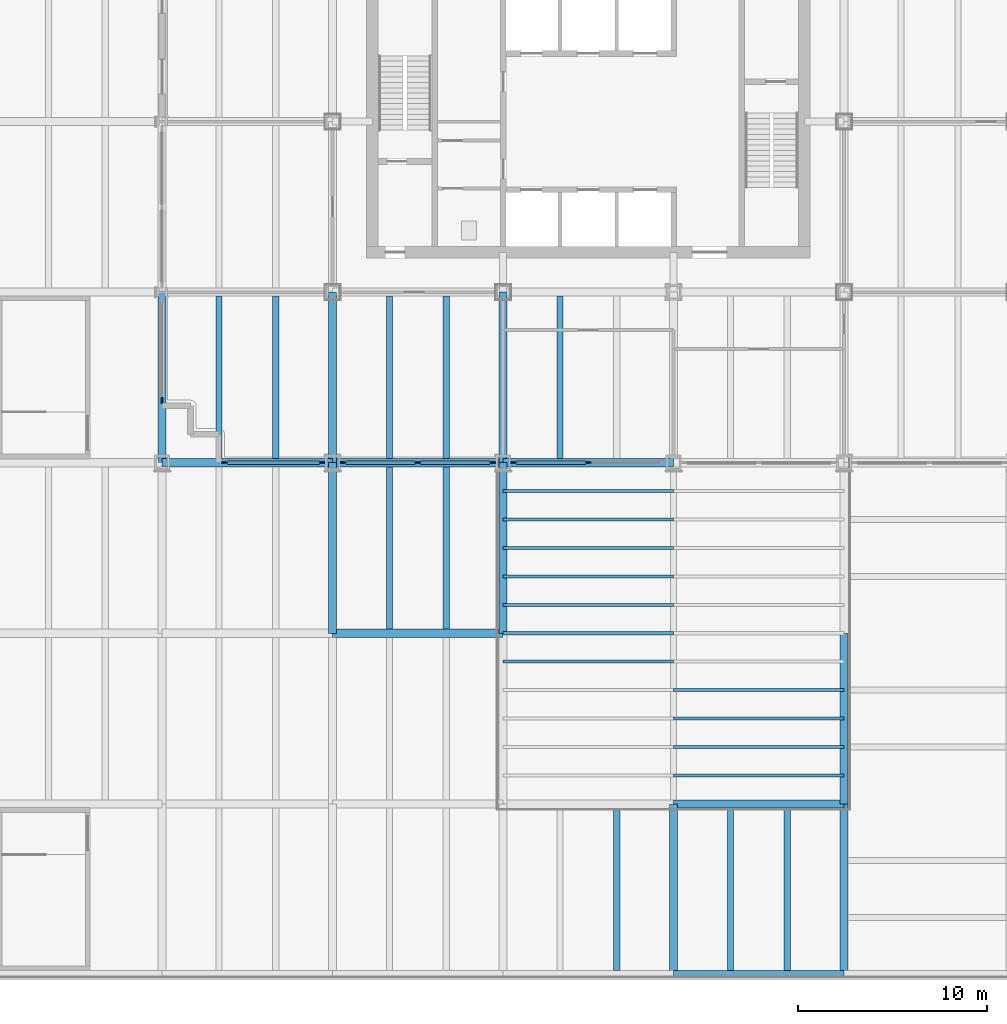
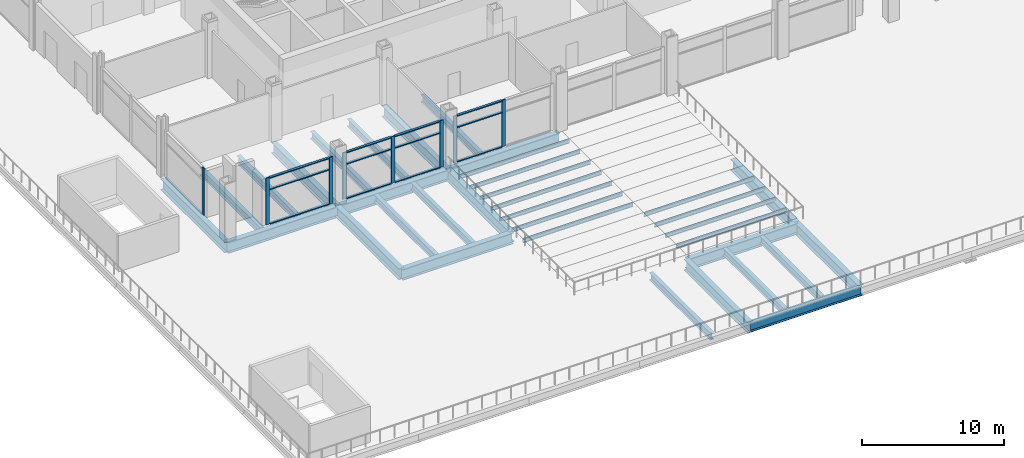
# One storey, part 2 of 16: 31 members, 24 beams, 4 elements without a shape of their own.
"""IFC4 building model written with IfcOpenShell, lengths in metres."""

from ifc_helpers import new_model, si_unit, direction, frame, origin, origin_2d, place, context, subcontext, project, spatial, rectangle, i_section, extrude, material, material_profile, profile_set, type_object, element, aggregate, save


model = new_model("IFC4")

# Units and contexts
model_context = context("Model", 3, precision=1e-05, world=origin(), true_north=direction((0.0, 1.0)))
body_context = subcontext(model_context, "Body", "Model", "MODEL_VIEW")
ifc_project = project(units=[si_unit("LENGTHUNIT", "METRE"), si_unit("AREAUNIT", "SQUARE_METRE"), si_unit("VOLUMEUNIT", "CUBIC_METRE"), si_unit("PLANEANGLEUNIT", "RADIAN"), si_unit("MASSUNIT", "GRAM", prefix="KILO")], contexts=[model_context])

# Site, building, storey
site_placement = place(None, origin())
site = spatial("IfcSite", under=ifc_project, at=site_placement, CompositionType="ELEMENT")
building_placement = place(site_placement, origin())
building = spatial("IfcBuilding", under=site, at=building_placement, Name="Loomwork Tower", CompositionType="ELEMENT")
storey_placement = place(building_placement, frame((0.0, 0.0, 23.0)))
storey = spatial("IfcBuildingStorey", under=building, at=storey_placement, Name="L04", CompositionType="ELEMENT", Elevation=23.0)

# Beams
ifc_material_1 = material(Name="Steel ASTM A992", Category="steel")
ifc_material_profile_1 = material_profile(ifc_material_1, i_section(OverallWidth=0.381103515625, OverallDepth=0.77978515625, WebThickness=0.01806640625, FlangeThickness=0.0302734375, at=origin_2d()), Name="W30x191")
ifc_profile_set_1 = profile_set([ifc_material_profile_1], Name="Steel ASTM A992")
beam_type_1 = type_object("IfcBeamType", Name="EDGE GIRDER W30x191", PredefinedType="BEAM", material=ifc_profile_set_1)
beam_1_placement = place(storey_placement, frame((27.0, -27.0, -0.68994140625), z_axis=(1.0, 0.0, 0.0), x_axis=(0.0, 1.0, 0.0)))
element("IfcBeam", 1, at=beam_1_placement, inside=storey, type_object=beam_type_1, Name="Edge Girder A/5-A/6 L04", PredefinedType="BEAM", context=body_context, shape_type="SweptSolid", body=[
    extrude(i_section(OverallWidth=0.381103515625, OverallDepth=0.77978515625, WebThickness=0.01806640625, FlangeThickness=0.0302734375, at=origin_2d()), origin(), (0.0, 0.0, 1.0), 9.0),
])
ifc_material_2 = material(Name="Steel ASTM A992", Category="steel")
ifc_material_profile_2 = material_profile(ifc_material_2, i_section(OverallWidth=0.3251953125, OverallDepth=0.612060546875, WebThickness=0.0126953125, FlangeThickness=0.01904296875, at=origin_2d()), Name="W24x104")
ifc_profile_set_2 = profile_set([ifc_material_profile_2], Name="Steel ASTM A992")
beam_type_2 = type_object("IfcBeamType", Name="FLOOR JOIST W24x104", PredefinedType="JOIST", material=ifc_profile_set_2)
for number, where, z_axis, x_axis, name in (
    (2, (3.0, 0.2119140625, -0.60595703125), (0.0, 1.0, 0.0), (-1.0, 0.0, 0.0), "Floor Joist 3.000,0.000-3.000,9.000 L04"),
    (3, (6.0, 0.2119140625, -0.60595703125), (0.0, 1.0, 0.0), (-1.0, 0.0, 0.0), "Floor Joist 6.000,0.000-6.000,9.000 L04"),
    (4, (12.0, -8.7880859375, -0.60595703125), (0.0, 1.0, 0.0), (-1.0, 0.0, 0.0), "Floor Joist 12.000,-9.000-12.000,0.000 L04"),
    (5, (15.0, -8.7880859375, -0.60595703125), (0.0, 1.0, 0.0), (-1.0, 0.0, 0.0), "Floor Joist 15.000,-9.000-15.000,0.000 L04"),
    (6, (12.0, 0.2119140625, -0.60595703125), (0.0, 1.0, 0.0), (-1.0, 0.0, 0.0), "Floor Joist 12.000,0.000-12.000,9.000 L04"),
    (7, (15.0, 0.2119140625, -0.60595703125), (0.0, 1.0, 0.0), (-1.0, 0.0, 0.0), "Floor Joist 15.000,0.000-15.000,9.000 L04"),
):
    element("IfcBeam", number, at=place(storey_placement, frame(where, z_axis=z_axis, x_axis=x_axis)), inside=storey, type_object=beam_type_2, Name=name, PredefinedType="JOIST", context=body_context, shape_type="SweptSolid", body=[
        extrude(i_section(OverallWidth=0.3251953125, OverallDepth=0.612060546875, WebThickness=0.0126953125, FlangeThickness=0.01904296875, at=origin_2d()), origin(), (0.0, 0.0, 1.0), 8.576171875),
    ])
beam_2_placement = place(storey_placement, frame((24.0, -26.81005859375, -0.60595703125), z_axis=(0.0, 1.0, 0.0), x_axis=(-1.0, 0.0, 0.0)))
element("IfcBeam", 8, at=beam_2_placement, inside=storey, type_object=beam_type_2, Name="Floor Joist 24.000,-27.000-24.000,-18.000 L04", PredefinedType="JOIST", context=body_context, shape_type="SweptSolid", body=[
    extrude(i_section(OverallWidth=0.3251953125, OverallDepth=0.612060546875, WebThickness=0.0126953125, FlangeThickness=0.01904296875, at=origin_2d()), origin(), (0.0, 0.0, 1.0), 8.59814453125),
])
beam_3_placement = place(storey_placement, frame((21.0, 0.2119140625, -0.60595703125), z_axis=(0.0, 1.0, 0.0), x_axis=(-1.0, 0.0, 0.0)))
element("IfcBeam", 9, at=beam_3_placement, inside=storey, type_object=beam_type_2, Name="Floor Joist 21.000,0.000-21.000,9.000 L04", PredefinedType="JOIST", context=body_context, shape_type="SweptSolid", body=[
    extrude(i_section(OverallWidth=0.3251953125, OverallDepth=0.612060546875, WebThickness=0.0126953125, FlangeThickness=0.01904296875, at=origin_2d()), origin(), (0.0, 0.0, 1.0), 8.576171875),
])
for number, where, z_axis, x_axis, name in (
    (10, (30.0, -26.81005859375, -0.60595703125), (0.0, 1.0, 0.0), (-1.0, 0.0, 0.0), "Floor Joist 30.000,-27.000-30.000,-18.000 L04"),
    (11, (33.0, -26.81005859375, -0.60595703125), (0.0, 1.0, 0.0), (-1.0, 0.0, 0.0), "Floor Joist 33.000,-27.000-33.000,-18.000 L04"),
):
    element("IfcBeam", number, at=place(storey_placement, frame(where, z_axis=z_axis, x_axis=x_axis)), inside=storey, type_object=beam_type_2, Name=name, PredefinedType="JOIST", context=body_context, shape_type="SweptSolid", body=[
        extrude(i_section(OverallWidth=0.3251953125, OverallDepth=0.612060546875, WebThickness=0.0126953125, FlangeThickness=0.01904296875, at=origin_2d()), origin(), (0.0, 0.0, 1.0), 8.59814453125),
    ])

# Members
ifc_material_3 = material(Name="Steel ASTM A992", Category="steel")
ifc_material_profile_3 = material_profile(ifc_material_3, i_section(OverallWidth=0.164794921875, OverallDepth=0.309814453125, WebThickness=0.005859375, FlangeThickness=0.009765625, at=origin_2d()), Name="W12x26")
ifc_profile_set_3 = profile_set([ifc_material_profile_3], Name="Steel ASTM A992")
member_type_1 = type_object("IfcMemberType", Name="SKYLIGHT PURLIN W12x26", PredefinedType="PURLIN", material=ifc_profile_set_3)
for number, where, z_axis, x_axis, name in (
    (12, (27.0, -16.5, -0.18701171875), (1.0, 0.0, 0.0), (0.0, 1.0, 0.0), "Skylight purlin 1"),
    (13, (27.0, -15.0, -0.18701171875), (1.0, 0.0, 0.0), (0.0, 1.0, 0.0), "Skylight purlin 2"),
    (14, (27.0, -13.5, -0.18701171875), (1.0, 0.0, 0.0), (0.0, 1.0, 0.0), "Skylight purlin 3"),
    (15, (27.0, -12.0, -0.18701171875), (1.0, 0.0, 0.0), (0.0, 1.0, 0.0), "Skylight purlin 4"),
    (16, (18.0, -10.5, -0.18701171875), (1.0, 0.0, 0.0), (0.0, 1.0, 0.0), "Skylight purlin 5"),
    (17, (18.0, -9.0, -0.18701171875), (1.0, 0.0, 0.0), (0.0, 1.0, 0.0), "Skylight purlin 6"),
    (18, (18.0, -7.5, -0.18701171875), (1.0, 0.0, 0.0), (0.0, 1.0, 0.0), "Skylight purlin 7"),
    (19, (18.0, -6.0, -0.18701171875), (1.0, 0.0, 0.0), (0.0, 1.0, 0.0), "Skylight purlin 8"),
    (20, (18.0, -4.5, -0.18701171875), (1.0, 0.0, 0.0), (0.0, 1.0, 0.0), "Skylight purlin 9"),
    (21, (18.0, -3.0, -0.18701171875), (1.0, 0.0, 0.0), (0.0, 1.0, 0.0), "Skylight purlin 10"),
    (22, (18.0, -1.5, -0.18701171875), (1.0, 0.0, 0.0), (0.0, 1.0, 0.0), "Skylight purlin 11"),
):
    element("IfcMember", number, at=place(storey_placement, frame(where, z_axis=z_axis, x_axis=x_axis)), inside=storey, type_object=member_type_1, Name=name, PredefinedType="PURLIN", context=body_context, shape_type="SweptSolid", body=[
        extrude(i_section(OverallWidth=0.164794921875, OverallDepth=0.309814453125, WebThickness=0.005859375, FlangeThickness=0.009765625, at=origin_2d()), origin(), (0.0, 0.0, 1.0), 9.0),
    ])

# Curtain wall, members
ifc_material_4 = material(Name="Aluminium curtain wall frame", Category="aluminium")
curtain_wall_type = type_object("IfcCurtainWallType", Name="Sky lobby glazing", PredefinedType="NOTDEFINED", material=ifc_material_4)
curtain_wall_1_placement = place(storey_placement, origin())
curtain_wall_1 = element("IfcCurtainWall", 23, at=curtain_wall_1_placement, inside=storey, type_object=curtain_wall_type, Name="Sky lobby glazing cw/S-0", PredefinedType="NOTDEFINED")
ifc_material_5 = material(Name="Aluminium curtain wall frame", Category="aluminium")
ifc_material_profile_4 = material_profile(ifc_material_5, rectangle(XDim=0.080078125, YDim=0.300048828125, at=origin_2d()), Name="AL 80x300")
ifc_profile_set_4 = profile_set([ifc_material_profile_4], Name="Aluminium curtain wall frame")
member_type_2 = type_object("IfcMemberType", Name="Sky lobby glazing mullion", PredefinedType="MULLION", material=ifc_profile_set_4)
member_1_placement = place(storey_placement, frame((3.300048828125, 0.0, 0.0), z_axis=(0.0, 0.0, 1.0), x_axis=(0.0, 1.0, 0.0)))
member_1 = element("IfcMember", 24, at=member_1_placement, type_object=member_type_2, Name="CW6 mullion 1", PredefinedType="MULLION", context=body_context, shape_type="SweptSolid", body=[
    extrude(rectangle(XDim=0.080078125, YDim=0.300048828125, at=origin_2d()), origin(), (0.0, 0.0, 1.0), 4.020263671875),
])
member_2_placement = place(storey_placement, frame((8.449951171875, 0.0, 0.0), z_axis=(0.0, 0.0, 1.0), x_axis=(0.0, 1.0, 0.0)))
member_2 = element("IfcMember", 25, at=member_2_placement, type_object=member_type_2, Name="CW6 mullion 2", PredefinedType="MULLION", context=body_context, shape_type="SweptSolid", body=[
    extrude(rectangle(XDim=0.080078125, YDim=0.300048828125, at=origin_2d()), origin(), (0.0, 0.0, 1.0), 4.020263671875),
])

curtain_wall_2_placement = place(storey_placement, origin())
curtain_wall_2 = element("IfcCurtainWall", 26, at=curtain_wall_2_placement, inside=storey, type_object=curtain_wall_type, Name="Sky lobby glazing cw/S-9", PredefinedType="NOTDEFINED")
member_3_placement = place(storey_placement, frame((9.550048828125, 0.0, 0.0), z_axis=(0.0, 0.0, 1.0), x_axis=(0.0, 1.0, 0.0)))
member_3 = element("IfcMember", 27, at=member_3_placement, type_object=member_type_2, Name="CW6 mullion 1", PredefinedType="MULLION", context=body_context, shape_type="SweptSolid", body=[
    extrude(rectangle(XDim=0.080078125, YDim=0.300048828125, at=origin_2d()), origin(), (0.0, 0.0, 1.0), 4.020263671875),
])
member_4_placement = place(storey_placement, frame((13.5, 0.0, 0.0), z_axis=(0.0, 0.0, 1.0), x_axis=(0.0, 1.0, 0.0)))
member_4 = element("IfcMember", 28, at=member_4_placement, type_object=member_type_2, Name="CW6 mullion 2", PredefinedType="MULLION", context=body_context, shape_type="SweptSolid", body=[
    extrude(rectangle(XDim=0.080078125, YDim=0.300048828125, at=origin_2d()), origin(), (0.0, 0.0, 1.0), 4.020263671875),
])
member_5_placement = place(storey_placement, frame((17.449951171875, 0.0, 0.0), z_axis=(0.0, 0.0, 1.0), x_axis=(0.0, 1.0, 0.0)))
member_5 = element("IfcMember", 29, at=member_5_placement, type_object=member_type_2, Name="CW6 mullion 3", PredefinedType="MULLION", context=body_context, shape_type="SweptSolid", body=[
    extrude(rectangle(XDim=0.080078125, YDim=0.300048828125, at=origin_2d()), origin(), (0.0, 0.0, 1.0), 4.020263671875),
])

curtain_wall_3_placement = place(storey_placement, origin())
curtain_wall_3 = element("IfcCurtainWall", 30, at=curtain_wall_3_placement, inside=storey, type_object=curtain_wall_type, Name="Sky lobby glazing cw/S-18", PredefinedType="NOTDEFINED")
member_6_placement = place(storey_placement, frame((18.550048828125, 0.0, 0.0), z_axis=(0.0, 0.0, 1.0), x_axis=(0.0, 1.0, 0.0)))
member_6 = element("IfcMember", 31, at=member_6_placement, type_object=member_type_2, Name="CW6 mullion 1", PredefinedType="MULLION", context=body_context, shape_type="SweptSolid", body=[
    extrude(rectangle(XDim=0.080078125, YDim=0.300048828125, at=origin_2d()), origin(), (0.0, 0.0, 1.0), 4.020263671875),
])
member_7_placement = place(storey_placement, frame((22.5, 0.0, 0.0), z_axis=(0.0, 0.0, 1.0), x_axis=(0.0, 1.0, 0.0)))
member_7 = element("IfcMember", 32, at=member_7_placement, type_object=member_type_2, Name="CW6 mullion 2", PredefinedType="MULLION", context=body_context, shape_type="SweptSolid", body=[
    extrude(rectangle(XDim=0.080078125, YDim=0.300048828125, at=origin_2d()), origin(), (0.0, 0.0, 1.0), 4.020263671875),
])

# Curtain wall, member
curtain_wall_4_placement = place(storey_placement, origin())
curtain_wall_4 = element("IfcCurtainWall", 33, at=curtain_wall_4_placement, inside=storey, type_object=curtain_wall_type, Name="Sky lobby glazing cw/W-0", PredefinedType="NOTDEFINED")
member_8_placement = place(storey_placement, frame((0.0, 3.300048828125, 0.0), z_axis=(0.0, 0.0, 1.0), x_axis=(1.0, 0.0, 0.0)))
member_8 = element("IfcMember", 34, at=member_8_placement, type_object=member_type_2, Name="CW6 mullion 2", PredefinedType="MULLION", context=body_context, shape_type="SweptSolid", body=[
    extrude(rectangle(XDim=0.080078125, YDim=0.300048828125, at=origin_2d()), origin(), (0.0, 0.0, 1.0), 4.020263671875),
])
aggregate(curtain_wall_4, [member_8])

# Member
ifc_material_6 = material(Name="Aluminium curtain wall frame", Category="aluminium")
ifc_material_profile_5 = material_profile(ifc_material_6, rectangle(XDim=0.199951171875, YDim=0.080078125, at=origin_2d()), Name="AL 80x200")
ifc_profile_set_5 = profile_set([ifc_material_profile_5], Name="Aluminium curtain wall frame")
member_type_3 = type_object("IfcMemberType", Name="Sky lobby glazing transom", PredefinedType="USERDEFINED", material=ifc_profile_set_5)
member_9_placement = place(storey_placement, frame((3.449951171875, 0.0, 0.0400390625), z_axis=(1.0, 0.0, 0.0), x_axis=(0.0, 1.0, 0.0)))
member_9 = element("IfcMember", 35, at=member_9_placement, type_object=member_type_3, Name="CW6 transom 1.1", ObjectType="TRANSOM", PredefinedType="USERDEFINED", context=body_context, shape_type="SweptSolid", body=[
    extrude(rectangle(XDim=0.199951171875, YDim=0.080078125, at=origin_2d()), origin(), (0.0, 0.0, 1.0), 4.85009765625),
])

member_10_placement = place(storey_placement, frame((3.449951171875, 0.0, 3.0), z_axis=(1.0, 0.0, 0.0), x_axis=(0.0, 1.0, 0.0)))
member_10 = element("IfcMember", 36, at=member_10_placement, type_object=member_type_3, Name="CW6 transom 1.2", ObjectType="TRANSOM", PredefinedType="USERDEFINED", context=body_context, shape_type="SweptSolid", body=[
    extrude(rectangle(XDim=0.199951171875, YDim=0.080078125, at=origin_2d()), origin(), (0.0, 0.0, 1.0), 4.85009765625),
])

member_11_placement = place(storey_placement, frame((3.449951171875, 0.0, 3.980224609375), z_axis=(1.0, 0.0, 0.0), x_axis=(0.0, 1.0, 0.0)))
member_11 = element("IfcMember", 37, at=member_11_placement, type_object=member_type_3, Name="CW6 transom 1.3", ObjectType="TRANSOM", PredefinedType="USERDEFINED", context=body_context, shape_type="SweptSolid", body=[
    extrude(rectangle(XDim=0.199951171875, YDim=0.080078125, at=origin_2d()), origin(), (0.0, 0.0, 1.0), 4.85009765625),
])

aggregate(curtain_wall_1, [member_1, member_2, member_9, member_10, member_11])

member_12_placement = place(storey_placement, frame((9.699951171875, 0.0, 0.0400390625), z_axis=(1.0, 0.0, 0.0), x_axis=(0.0, 1.0, 0.0)))
member_12 = element("IfcMember", 38, at=member_12_placement, type_object=member_type_3, Name="CW6 transom 1.1", ObjectType="TRANSOM", PredefinedType="USERDEFINED", context=body_context, shape_type="SweptSolid", body=[
    extrude(rectangle(XDim=0.199951171875, YDim=0.080078125, at=origin_2d()), origin(), (0.0, 0.0, 1.0), 3.650146484375),
])

member_13_placement = place(storey_placement, frame((9.699951171875, 0.0, 3.0), z_axis=(1.0, 0.0, 0.0), x_axis=(0.0, 1.0, 0.0)))
member_13 = element("IfcMember", 39, at=member_13_placement, type_object=member_type_3, Name="CW6 transom 1.2", ObjectType="TRANSOM", PredefinedType="USERDEFINED", context=body_context, shape_type="SweptSolid", body=[
    extrude(rectangle(XDim=0.199951171875, YDim=0.080078125, at=origin_2d()), origin(), (0.0, 0.0, 1.0), 3.650146484375),
])

member_14_placement = place(storey_placement, frame((9.699951171875, 0.0, 3.980224609375), z_axis=(1.0, 0.0, 0.0), x_axis=(0.0, 1.0, 0.0)))
member_14 = element("IfcMember", 40, at=member_14_placement, type_object=member_type_3, Name="CW6 transom 1.3", ObjectType="TRANSOM", PredefinedType="USERDEFINED", context=body_context, shape_type="SweptSolid", body=[
    extrude(rectangle(XDim=0.199951171875, YDim=0.080078125, at=origin_2d()), origin(), (0.0, 0.0, 1.0), 3.650146484375),
])

member_15_placement = place(storey_placement, frame((13.64990234375, 0.0, 0.0400390625), z_axis=(1.0, 0.0, 0.0), x_axis=(0.0, 1.0, 0.0)))
member_15 = element("IfcMember", 41, at=member_15_placement, type_object=member_type_3, Name="CW6 transom 2.1", ObjectType="TRANSOM", PredefinedType="USERDEFINED", context=body_context, shape_type="SweptSolid", body=[
    extrude(rectangle(XDim=0.199951171875, YDim=0.080078125, at=origin_2d()), origin(), (0.0, 0.0, 1.0), 3.650146484375),
])

member_16_placement = place(storey_placement, frame((13.64990234375, 0.0, 3.0), z_axis=(1.0, 0.0, 0.0), x_axis=(0.0, 1.0, 0.0)))
member_16 = element("IfcMember", 42, at=member_16_placement, type_object=member_type_3, Name="CW6 transom 2.2", ObjectType="TRANSOM", PredefinedType="USERDEFINED", context=body_context, shape_type="SweptSolid", body=[
    extrude(rectangle(XDim=0.199951171875, YDim=0.080078125, at=origin_2d()), origin(), (0.0, 0.0, 1.0), 3.650146484375),
])

member_17_placement = place(storey_placement, frame((13.64990234375, 0.0, 3.980224609375), z_axis=(1.0, 0.0, 0.0), x_axis=(0.0, 1.0, 0.0)))
member_17 = element("IfcMember", 43, at=member_17_placement, type_object=member_type_3, Name="CW6 transom 2.3", ObjectType="TRANSOM", PredefinedType="USERDEFINED", context=body_context, shape_type="SweptSolid", body=[
    extrude(rectangle(XDim=0.199951171875, YDim=0.080078125, at=origin_2d()), origin(), (0.0, 0.0, 1.0), 3.650146484375),
])

aggregate(curtain_wall_2, [member_3, member_4, member_5, member_12, member_13, member_14, member_15, member_16, member_17])

member_18_placement = place(storey_placement, frame((18.699951171875, 0.0, 0.0400390625), z_axis=(1.0, 0.0, 0.0), x_axis=(0.0, 1.0, 0.0)))
member_18 = element("IfcMember", 44, at=member_18_placement, type_object=member_type_3, Name="CW6 transom 1.1", ObjectType="TRANSOM", PredefinedType="USERDEFINED", context=body_context, shape_type="SweptSolid", body=[
    extrude(rectangle(XDim=0.199951171875, YDim=0.080078125, at=origin_2d()), origin(), (0.0, 0.0, 1.0), 3.650146484375),
])

member_19_placement = place(storey_placement, frame((18.699951171875, 0.0, 3.0), z_axis=(1.0, 0.0, 0.0), x_axis=(0.0, 1.0, 0.0)))
member_19 = element("IfcMember", 45, at=member_19_placement, type_object=member_type_3, Name="CW6 transom 1.2", ObjectType="TRANSOM", PredefinedType="USERDEFINED", context=body_context, shape_type="SweptSolid", body=[
    extrude(rectangle(XDim=0.199951171875, YDim=0.080078125, at=origin_2d()), origin(), (0.0, 0.0, 1.0), 3.650146484375),
])

member_20_placement = place(storey_placement, frame((18.699951171875, 0.0, 3.980224609375), z_axis=(1.0, 0.0, 0.0), x_axis=(0.0, 1.0, 0.0)))
member_20 = element("IfcMember", 46, at=member_20_placement, type_object=member_type_3, Name="CW6 transom 1.3", ObjectType="TRANSOM", PredefinedType="USERDEFINED", context=body_context, shape_type="SweptSolid", body=[
    extrude(rectangle(XDim=0.199951171875, YDim=0.080078125, at=origin_2d()), origin(), (0.0, 0.0, 1.0), 3.650146484375),
])

aggregate(curtain_wall_3, [member_6, member_7, member_18, member_19, member_20])

# Beams
ifc_material_7 = material(Name="Steel ASTM A992", Category="steel")
ifc_material_profile_6 = material_profile(ifc_material_7, i_section(OverallWidth=0.424072265625, OverallDepth=0.947509765625, WebThickness=0.02392578125, FlangeThickness=0.042724609375, at=origin_2d()), Name="W36x302")
ifc_profile_set_6 = profile_set([ifc_material_profile_6], Name="Steel ASTM A992")
beam_type_3 = type_object("IfcBeamType", Name="TRANSFER FLOOR GIRDER W36x302", PredefinedType="BEAM", material=ifc_profile_set_6)
for number, where, z_axis, x_axis, name in (
    (47, (27.0, -18.0, -0.773681640625), (1.0, 0.0, 0.0), (0.0, 1.0, 0.0), "Transfer Floor Girder B/5-B/6 L04"),
    (48, (9.0, -9.0, -0.773681640625), (1.0, 0.0, 0.0), (0.0, 1.0, 0.0), "Transfer Floor Girder C/3-C/4 L04"),
    (49, (0.0, 0.0, -0.773681640625), (1.0, 0.0, 0.0), (0.0, 1.0, 0.0), "Transfer Floor Girder D/2-D/3 L04"),
    (50, (9.0, 0.0, -0.773681640625), (1.0, 0.0, 0.0), (0.0, 1.0, 0.0), "Transfer Floor Girder D/3-D/4 L04"),
    (51, (18.0, 0.0, -0.773681640625), (1.0, 0.0, 0.0), (0.0, 1.0, 0.0), "Transfer Floor Girder D/4-D/5 L04"),
    (52, (0.0, 0.0, -0.773681640625), (0.0, 1.0, 0.0), (-1.0, 0.0, 0.0), "Transfer Floor Girder D/2-E/2 L04"),
    (53, (9.0, -9.0, -0.773681640625), (0.0, 1.0, 0.0), (-1.0, 0.0, 0.0), "Transfer Floor Girder C/3-D/3 L04"),
    (54, (9.0, 0.0, -0.773681640625), (0.0, 1.0, 0.0), (-1.0, 0.0, 0.0), "Transfer Floor Girder D/3-E/3 L04"),
    (55, (18.0, -9.0, -0.773681640625), (0.0, 1.0, 0.0), (-1.0, 0.0, 0.0), "Transfer Floor Girder C/4-D/4 L04"),
    (56, (18.0, 0.0, -0.773681640625), (0.0, 1.0, 0.0), (-1.0, 0.0, 0.0), "Transfer Floor Girder D/4-E/4 L04"),
    (57, (27.0, -27.0, -0.773681640625), (0.0, 1.0, 0.0), (-1.0, 0.0, 0.0), "Transfer Floor Girder A/5-B/5 L04"),
    (58, (36.0, -27.0, -0.773681640625), (0.0, 1.0, 0.0), (-1.0, 0.0, 0.0), "Transfer Floor Girder A/6-B/6 L04"),
    (59, (36.0, -18.0, -0.773681640625), (0.0, 1.0, 0.0), (-1.0, 0.0, 0.0), "Transfer Floor Girder B/6-C/6 L04"),
):
    element("IfcBeam", number, at=place(storey_placement, frame(where, z_axis=z_axis, x_axis=x_axis)), inside=storey, type_object=beam_type_3, Name=name, PredefinedType="BEAM", context=body_context, shape_type="SweptSolid", body=[
        extrude(i_section(OverallWidth=0.424072265625, OverallDepth=0.947509765625, WebThickness=0.02392578125, FlangeThickness=0.042724609375, at=origin_2d()), origin(), (0.0, 0.0, 1.0), 9.0),
    ])

save(model, "model.ifc")
